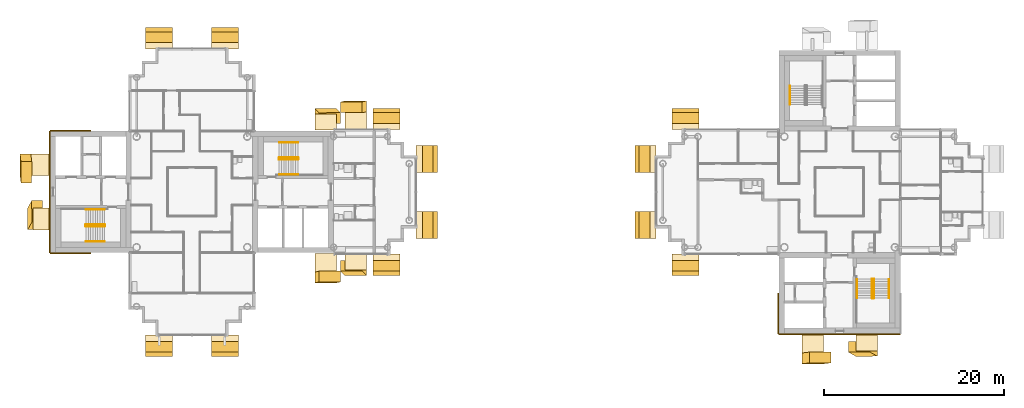
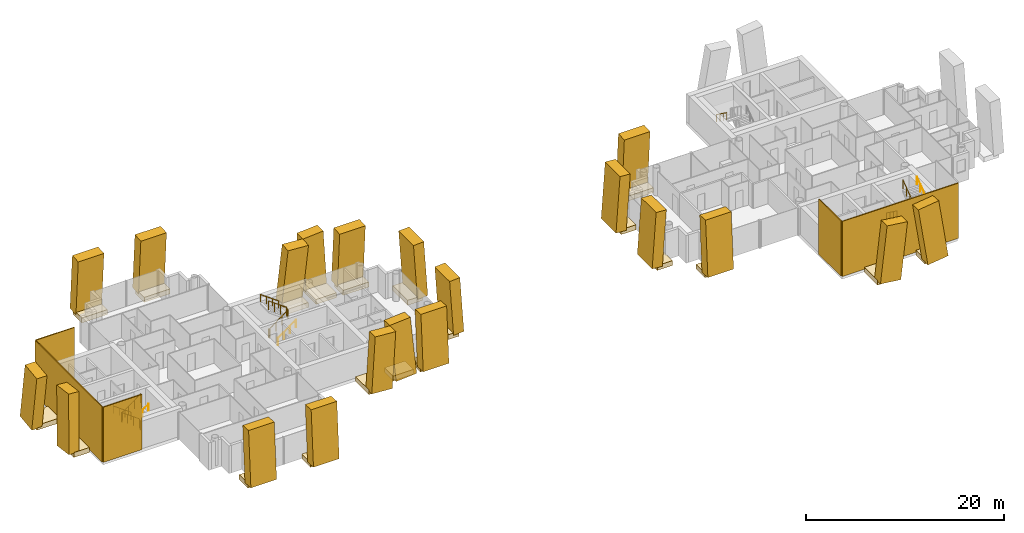
# One storey, part 17 of 19: 45 coverings, 10 railings.
"""IFC4 building model written with IfcOpenShell, lengths in metres."""

from ifc_helpers import new_model, si_unit, direction, frame, origin, origin_2d, place, context, subcontext, project, spatial, rectangle, circle, extrude, material, layer, layer_set, material_profile, profile_set, type_object, element, save


model = new_model("IFC4")

# Units and contexts
model_context = context("Model", 3, precision=1e-05, world=origin(), true_north=direction((0.0, 1.0)))
body_context = subcontext(model_context, "Body", "Model", "MODEL_VIEW")
ifc_project = project(units=[si_unit("LENGTHUNIT", "METRE"), si_unit("AREAUNIT", "SQUARE_METRE"), si_unit("VOLUMEUNIT", "CUBIC_METRE"), si_unit("PLANEANGLEUNIT", "RADIAN"), si_unit("MASSUNIT", "GRAM", prefix="KILO")], contexts=[model_context])

# Site, building, storey
site_placement = place(None, origin())
site = spatial("IfcSite", under=ifc_project, at=site_placement, CompositionType="ELEMENT")
building_placement = place(site_placement, origin())
building = spatial("IfcBuilding", under=site, at=building_placement, Name="Ipe Terrace Towers", CompositionType="ELEMENT")
storey_placement = place(building_placement, frame((0.0, 0.0, 189.199951171875)))
storey = spatial("IfcBuildingStorey", under=building, at=storey_placement, Name="L52", CompositionType="ELEMENT", Elevation=189.199951171875)

# Coverings
ifc_material_1 = material(Name="Concrete C50/60 precast, buff finish", Category="concrete")
ifc_layer = layer(ifc_material_1, 0.1201171875)
ifc_layer_set = layer_set([ifc_layer], Name="STONE CORE CLADDING 120")
covering_type_1 = type_object("IfcCoveringType", Name="STONE CORE CLADDING 120", PredefinedType="CLADDING", material=ifc_layer_set)
covering_1_placement = place(storey_placement, frame((-49.5, -6.81005859375, 0.0), z_axis=(0.0, 0.0, 1.0), x_axis=(1.0, 0.0, 0.0)))
element("IfcCovering", 1, at=covering_1_placement, inside=storey, type_object=covering_type_1, Name="stone core cladding", PredefinedType="CLADDING", context=body_context, shape_type="SweptSolid", body=[
    extrude(rectangle(XDim=4.5, YDim=0.1201171875, at=origin_2d()), origin(), (0.0, 0.0, 1.0), 6.800048828125),
])
covering_2_placement = place(storey_placement, frame((-51.81005859375, 0.0, 0.0), z_axis=(0.0, 0.0, 1.0), x_axis=(0.0, -1.0, 0.0)))
element("IfcCovering", 2, at=covering_2_placement, inside=storey, type_object=covering_type_1, Name="stone core cladding", PredefinedType="CLADDING", context=body_context, shape_type="SweptSolid", body=[
    extrude(rectangle(XDim=13.5, YDim=0.1201171875, at=origin_2d()), origin(), (0.0, 0.0, 1.0), 6.800048828125),
])
covering_3_placement = place(storey_placement, frame((-49.5, 6.81005859375, 0.0), z_axis=(0.0, 0.0, 1.0), x_axis=(-1.0, 0.0, 0.0)))
element("IfcCovering", 3, at=covering_3_placement, inside=storey, type_object=covering_type_1, Name="stone core cladding", PredefinedType="CLADDING", context=body_context, shape_type="SweptSolid", body=[
    extrude(rectangle(XDim=4.5, YDim=0.1201171875, at=origin_2d()), origin(), (0.0, 0.0, 1.0), 6.800048828125),
])
covering_4_placement = place(storey_placement, frame((36.0, -15.81005859375, 0.0), z_axis=(0.0, 0.0, 1.0), x_axis=(1.0, 0.0, 0.0)))
element("IfcCovering", 4, at=covering_4_placement, inside=storey, type_object=covering_type_1, Name="stone core cladding", PredefinedType="CLADDING", context=body_context, shape_type="SweptSolid", body=[
    extrude(rectangle(XDim=13.5, YDim=0.1201171875, at=origin_2d()), origin(), (0.0, 0.0, 1.0), 6.800048828125),
])
covering_5_placement = place(storey_placement, frame((29.18994140625, -13.5, 0.0), z_axis=(0.0, 0.0, 1.0), x_axis=(0.0, -1.0, 0.0)))
element("IfcCovering", 5, at=covering_5_placement, inside=storey, type_object=covering_type_1, Name="stone core cladding", PredefinedType="CLADDING", context=body_context, shape_type="SweptSolid", body=[
    extrude(rectangle(XDim=4.5, YDim=0.1201171875, at=origin_2d()), origin(), (0.0, 0.0, 1.0), 6.800048828125),
])
ifc_material_2 = material(Name="Concrete C50/60 precast, buff finish", Category="concrete")
ifc_material_profile_1 = material_profile(ifc_material_2, rectangle(XDim=2.39990234375, YDim=1.199951171875, at=origin_2d()), Name="STONE FIN 2400 x 1200")
ifc_profile_set_1 = profile_set([ifc_material_profile_1], Name="Concrete C50/60 precast, buff finish")
covering_type_2 = type_object("IfcCoveringType", Name="STONE FIN 2400 x 1200", PredefinedType="USERDEFINED", material=ifc_profile_set_1)
covering_6_placement = place(storey_placement, frame((-21.138916015625, -9.510986328125, 0.0), z_axis=(0.068049039655, 0.015400572133, 0.997563106064), x_axis=(0.997681977487, -0.001050429053, -0.068040931775)))
element("IfcCovering", 6, at=covering_6_placement, inside=storey, type_object=covering_type_2, Name="stone fin", ObjectType="FIN", PredefinedType="USERDEFINED", context=body_context, shape_type="SweptSolid", body=[
    extrude(rectangle(XDim=2.39990234375, YDim=1.199951171875, at=origin_2d()), origin(), (0.0, 0.0, 1.0), 6.816650390625),
])
for number, where, z_axis, x_axis, name in (
    (7, (-21.138916015625, 8.672119140625, 0.0), (0.067898557586, -0.068220182332, 0.995357118124), (-0.997692230038, -0.004642766409, 0.06773964011), "stone fin"),
    (8, (-17.81103515625, -8.672119140625, 0.0), (-0.067898557586, 0.068220182332, 0.995357118124), (0.997692230038, 0.004642766409, 0.06773964011), "stone fin"),
):
    element("IfcCovering", number, at=place(storey_placement, frame(where, z_axis=z_axis, x_axis=x_axis)), inside=storey, type_object=covering_type_2, Name=name, ObjectType="FIN", PredefinedType="USERDEFINED", context=body_context, shape_type="SweptSolid", body=[
        extrude(rectangle(XDim=2.39990234375, YDim=1.199951171875, at=origin_2d()), origin(), (0.0, 0.0, 1.0), 6.831787109375),
    ])
covering_7_placement = place(storey_placement, frame((-17.81103515625, 9.510986328125, 0.0), z_axis=(-0.068049039655, -0.015400572133, 0.997563106064), x_axis=(-0.997681977487, 0.001050429053, -0.068040931775)))
element("IfcCovering", 9, at=covering_7_placement, inside=storey, type_object=covering_type_2, Name="stone fin", ObjectType="FIN", PredefinedType="USERDEFINED", context=body_context, shape_type="SweptSolid", body=[
    extrude(rectangle(XDim=2.39990234375, YDim=1.199951171875, at=origin_2d()), origin(), (0.0, 0.0, 1.0), 6.816650390625),
])
covering_8_placement = place(storey_placement, frame((-54.510986328125, 3.008056640625, 0.0), z_axis=(0.015320449008, -0.122314189404, 0.992373177244), x_axis=(-0.001888085119, -0.992491430225, -0.122299615961)))
element("IfcCovering", 10, at=covering_8_placement, inside=storey, type_object=covering_type_2, Name="stone fin", ObjectType="FIN", PredefinedType="USERDEFINED", context=body_context, shape_type="SweptSolid", body=[
    extrude(rectangle(XDim=2.39990234375, YDim=1.199951171875, at=origin_2d()), origin(), (0.0, 0.0, 1.0), 6.852294921875),
])
for number, where, z_axis, x_axis, name in (
    (11, (-53.672119140625, -3.008056640625, 0.0), (0.067866815371, 0.122046504541, 0.99020136644), (0.008345293818, -0.992524382939, 0.121760853076), "stone fin"),
    (12, (39.008056640625, -17.672119140625, 0.0), (-0.122046504541, 0.067866815371, 0.99020136644), (0.992524382939, 0.008345293818, 0.121760853076), "stone fin"),
):
    element("IfcCovering", number, at=place(storey_placement, frame(where, z_axis=z_axis, x_axis=x_axis)), inside=storey, type_object=covering_type_2, Name=name, ObjectType="FIN", PredefinedType="USERDEFINED", context=body_context, shape_type="SweptSolid", body=[
        extrude(rectangle(XDim=2.39990234375, YDim=1.199951171875, at=origin_2d()), origin(), (0.0, 0.0, 1.0), 6.867431640625),
    ])
covering_9_placement = place(storey_placement, frame((32.991943359375, -18.510986328125, 0.0), z_axis=(0.122314189404, 0.015320449008, 0.992373177244), x_axis=(0.992491430225, -0.001888085119, -0.122299615961)))
element("IfcCovering", 13, at=covering_9_placement, inside=storey, type_object=covering_type_2, Name="stone fin", ObjectType="FIN", PredefinedType="USERDEFINED", context=body_context, shape_type="SweptSolid", body=[
    extrude(rectangle(XDim=2.39990234375, YDim=1.199951171875, at=origin_2d()), origin(), (0.0, 0.0, 1.0), 6.852294921875),
])
ifc_material_3 = material(Name="Concrete C50/60 precast, buff finish", Category="concrete")
ifc_material_profile_2 = material_profile(ifc_material_3, rectangle(XDim=3.0, YDim=1.199951171875, at=origin_2d()), Name="STONE FIN CORNER 3000 x 1200")
ifc_profile_set_2 = profile_set([ifc_material_profile_2], Name="Concrete C50/60 precast, buff finish")
covering_type_3 = type_object("IfcCoveringType", Name="STONE FIN CORNER 3000 x 1200", PredefinedType="USERDEFINED", material=ifc_profile_set_2)
for number, where, z_axis, x_axis, name in (
    (14, (-9.327880859375, -3.64990234375, 0.0), (-0.068377982987, 0.0, 0.99765948672), (0.0, 1.0, 0.0), "stone fin"),
    (15, (-9.327880859375, 3.64990234375, 0.0), (-0.068377982987, 0.0, 0.99765948672), (0.0, 1.0, 0.0), "stone fin"),
    (16, (-14.35009765625, -8.672119140625, 0.0), (0.0, 0.068377982987, 0.99765948672), (1.0, 0.0, 0.0), "stone fin"),
    (17, (-14.35009765625, 8.672119140625, 0.0), (0.0, -0.068377982987, 0.99765948672), (-1.0, 0.0, 0.0), "stone fin"),
    (18, (-32.35009765625, -17.672119140625, 0.0), (0.0, 0.068377982987, 0.99765948672), (1.0, 0.0, 0.0), "stone fin"),
    (19, (-32.35009765625, 17.672119140625, 0.0), (0.0, -0.068377982987, 0.99765948672), (-1.0, 0.0, 0.0), "stone fin"),
    (20, (-39.64990234375, -17.672119140625, 0.0), (0.0, 0.068377982987, 0.99765948672), (1.0, 0.0, 0.0), "stone fin"),
    (21, (-39.64990234375, 17.672119140625, 0.0), (0.0, -0.068377982987, 0.99765948672), (-1.0, 0.0, 0.0), "stone fin"),
    (22, (13.827880859375, -3.64990234375, 0.0), (0.068377982987, 0.0, 0.99765948672), (0.0, -1.0, 0.0), "stone fin"),
    (23, (13.827880859375, 3.64990234375, 0.0), (0.068377982987, 0.0, 0.99765948672), (0.0, -1.0, 0.0), "stone fin"),
    (24, (18.85009765625, -8.672119140625, 0.0), (0.0, 0.068377982987, 0.99765948672), (1.0, 0.0, 0.0), "stone fin"),
    (25, (18.85009765625, 8.672119140625, 0.0), (0.0, -0.068377982987, 0.99765948672), (-1.0, 0.0, 0.0), "stone fin"),
):
    element("IfcCovering", number, at=place(storey_placement, frame(where, z_axis=z_axis, x_axis=x_axis)), inside=storey, type_object=covering_type_3, Name=name, ObjectType="FIN", PredefinedType="USERDEFINED", context=body_context, shape_type="SweptSolid", body=[
        extrude(rectangle(XDim=3.0, YDim=1.199951171875, at=origin_2d()), origin(), (0.0, 0.0, 1.0), 6.81591796875),
    ])
ifc_material_4 = material(Name="Concrete C50/60 precast, buff finish", Category="concrete")
covering_type_4 = type_object("IfcCoveringType", Name="STONE FIN SHELF 2400 x 600", PredefinedType="CLADDING", material=ifc_material_4)
covering_10_placement = place(storey_placement, frame((-21.138916015625, -8.18505859375, -0.35009765625), z_axis=(0.0, 0.0, 1.0), x_axis=(1.0, 0.0, 0.0)))
element("IfcCovering", 26, at=covering_10_placement, inside=storey, type_object=covering_type_4, Name="stone fin shelf", PredefinedType="CLADDING", context=body_context, shape_type="SweptSolid", body=[
    extrude(rectangle(XDim=2.39990234375, YDim=2.65087890625, at=origin_2d()), origin(), (0.0, 0.0, 1.0), 0.60009765625),
])
covering_11_placement = place(storey_placement, frame((-21.138916015625, 7.76611328125, -0.35009765625), z_axis=(0.0, 0.0, 1.0), x_axis=(-1.0, 0.0, 0.0)))
element("IfcCovering", 27, at=covering_11_placement, inside=storey, type_object=covering_type_4, Name="stone fin shelf", PredefinedType="CLADDING", context=body_context, shape_type="SweptSolid", body=[
    extrude(rectangle(XDim=2.39990234375, YDim=1.81201171875, at=origin_2d()), origin(), (0.0, 0.0, 1.0), 0.60009765625),
])
covering_12_placement = place(storey_placement, frame((-17.81103515625, -7.7939453125, -0.35009765625), z_axis=(0.0, 0.0, 1.0), x_axis=(1.0, 0.0, 0.0)))
element("IfcCovering", 28, at=covering_12_placement, inside=storey, type_object=covering_type_4, Name="stone fin shelf", PredefinedType="CLADDING", context=body_context, shape_type="SweptSolid", body=[
    extrude(rectangle(XDim=2.39990234375, YDim=1.756103515625, at=origin_2d()), origin(), (0.0, 0.0, 1.0), 0.60009765625),
])
covering_13_placement = place(storey_placement, frame((-17.81103515625, 8.212890625, -0.35009765625), z_axis=(0.0, 0.0, 1.0), x_axis=(-1.0, 0.0, 0.0)))
element("IfcCovering", 29, at=covering_13_placement, inside=storey, type_object=covering_type_4, Name="stone fin shelf", PredefinedType="CLADDING", context=body_context, shape_type="SweptSolid", body=[
    extrude(rectangle(XDim=2.39990234375, YDim=2.594970703125, at=origin_2d()), origin(), (0.0, 0.0, 1.0), 0.60009765625),
])
covering_14_placement = place(storey_placement, frame((-53.18603515625, 3.008056640625, -0.35009765625), z_axis=(0.0, 0.0, 1.0), x_axis=(0.0, -1.0, 0.0)))
element("IfcCovering", 30, at=covering_14_placement, inside=storey, type_object=covering_type_4, Name="stone fin shelf", PredefinedType="CLADDING", context=body_context, shape_type="SweptSolid", body=[
    extrude(rectangle(XDim=2.39990234375, YDim=2.65087890625, at=origin_2d()), origin(), (0.0, 0.0, 1.0), 0.60009765625),
])
for number, where, z_axis, x_axis, name in (
    (31, (-52.76611328125, -3.008056640625, -0.35009765625), (0.0, 0.0, 1.0), (0.0, -1.0, 0.0), "stone fin shelf"),
    (32, (39.008056640625, -16.76611328125, -0.35009765625), (0.0, 0.0, 1.0), (1.0, 0.0, 0.0), "stone fin shelf"),
):
    element("IfcCovering", number, at=place(storey_placement, frame(where, z_axis=z_axis, x_axis=x_axis)), inside=storey, type_object=covering_type_4, Name=name, PredefinedType="CLADDING", context=body_context, shape_type="SweptSolid", body=[
        extrude(rectangle(XDim=2.39990234375, YDim=1.81201171875, at=origin_2d()), origin(), (0.0, 0.0, 1.0), 0.60009765625),
    ])
covering_15_placement = place(storey_placement, frame((32.991943359375, -17.18603515625, -0.35009765625), z_axis=(0.0, 0.0, 1.0), x_axis=(1.0, 0.0, 0.0)))
element("IfcCovering", 33, at=covering_15_placement, inside=storey, type_object=covering_type_4, Name="stone fin shelf", PredefinedType="CLADDING", context=body_context, shape_type="SweptSolid", body=[
    extrude(rectangle(XDim=2.39990234375, YDim=2.65087890625, at=origin_2d()), origin(), (0.0, 0.0, 1.0), 0.60009765625),
])
ifc_material_5 = material(Name="Concrete C50/60 precast, buff finish", Category="concrete")
covering_type_5 = type_object("IfcCoveringType", Name="STONE FIN SHELF 3000 x 600", PredefinedType="CLADDING", material=ifc_material_5)
for number, where, z_axis, x_axis, name in (
    (34, (-10.2060546875, -3.64990234375, -0.35009765625), (0.0, 0.0, 1.0), (0.0, 1.0, 0.0), "stone fin shelf"),
    (35, (-10.2060546875, 3.64990234375, -0.35009765625), (0.0, 0.0, 1.0), (0.0, 1.0, 0.0), "stone fin shelf"),
    (36, (-14.35009765625, -7.7939453125, -0.35009765625), (0.0, 0.0, 1.0), (1.0, 0.0, 0.0), "stone fin shelf"),
    (37, (-14.35009765625, 7.7939453125, -0.35009765625), (0.0, 0.0, 1.0), (-1.0, 0.0, 0.0), "stone fin shelf"),
    (38, (-32.35009765625, -16.7939453125, -0.35009765625), (0.0, 0.0, 1.0), (1.0, 0.0, 0.0), "stone fin shelf"),
    (39, (-32.35009765625, 16.7939453125, -0.35009765625), (0.0, 0.0, 1.0), (-1.0, 0.0, 0.0), "stone fin shelf"),
    (40, (-39.64990234375, -16.7939453125, -0.35009765625), (0.0, 0.0, 1.0), (1.0, 0.0, 0.0), "stone fin shelf"),
    (41, (-39.64990234375, 16.7939453125, -0.35009765625), (0.0, 0.0, 1.0), (-1.0, 0.0, 0.0), "stone fin shelf"),
    (42, (14.7060546875, -3.64990234375, -0.35009765625), (0.0, 0.0, 1.0), (0.0, -1.0, 0.0), "stone fin shelf"),
    (43, (14.7060546875, 3.64990234375, -0.35009765625), (0.0, 0.0, 1.0), (0.0, -1.0, 0.0), "stone fin shelf"),
    (44, (18.85009765625, -7.7939453125, -0.35009765625), (0.0, 0.0, 1.0), (1.0, 0.0, 0.0), "stone fin shelf"),
    (45, (18.85009765625, 7.7939453125, -0.35009765625), (0.0, 0.0, 1.0), (-1.0, 0.0, 0.0), "stone fin shelf"),
):
    element("IfcCovering", number, at=place(storey_placement, frame(where, z_axis=z_axis, x_axis=x_axis)), inside=storey, type_object=covering_type_5, Name=name, PredefinedType="CLADDING", context=body_context, shape_type="SweptSolid", body=[
        extrude(rectangle(XDim=3.0, YDim=1.756103515625, at=origin_2d()), origin(), (0.0, 0.0, 1.0), 0.60009765625),
    ])

# Railings
ifc_material_6 = material(Name="Steel S355", Category="steel")
railing_type_1 = type_object("IfcRailingType", Name="Stair guard 1100", PredefinedType="GUARDRAIL", material=ifc_material_6)
railing_1_placement = place(storey_placement, frame((-26.35009765625, 3.800048828125, 0.0)))
element("IfcRailing", 46, at=railing_1_placement, inside=storey, type_object=railing_type_1, Name="L52 T1-ST1 stair guard 1", PredefinedType="GUARDRAIL", context=body_context, shape_type="SweptSolid", body=[
    extrude(circle(Radius=0.02392578125, at=origin_2d()), frame((0.0, 0.0, 1.076171875), z_axis=(0.0, -1.0, 0.0), x_axis=(1.0, 0.0, 0.0)), (0.0, 0.0, 1.0), 0.150146484375),
    extrude(circle(Radius=0.02392578125, at=origin_2d()), frame((0.0, -0.150146484375, 1.076171875), z_axis=(0.248103849378, -0.246893586699, 0.936743314239), x_axis=(0.705375805398, 0.708833529934, 0.0)), (0.0, 0.0, 1.0), 0.20166015625),
    extrude(circle(Radius=0.02392578125, at=origin_2d()), frame((0.050048828125, -0.199951171875, 1.26513671875), z_axis=(0.809068575486, 0.0, 0.587714250432), x_axis=(0.0, 1.0, 0.0)), (0.0, 0.0, 1.0), 2.571044921875),
    extrude(circle(Radius=0.02392578125, at=origin_2d()), frame((2.130126953125, -0.199951171875, 2.77587890625), z_axis=(0.708833529934, 0.705375805398, 0.0), x_axis=(-0.705375805398, 0.708833529934, 0.0)), (0.0, 0.0, 1.0), 0.070556640625),
    extrude(circle(Radius=0.02392578125, at=origin_2d()), frame((2.18017578125, -0.150146484375, 2.77587890625), z_axis=(0.0, 1.0, 0.0), x_axis=(-1.0, 0.0, 0.0)), (0.0, 0.0, 1.0), 0.150146484375),
    extrude(circle(Radius=0.02392578125, at=origin_2d()), frame((2.18017578125, 0.0, 2.77587890625), z_axis=(-0.248029566107, 0.248029566107, 0.936462849596), x_axis=(-0.707106781187, -0.707106781187, 0.0)), (0.0, 0.0, 1.0), 0.201904296875),
    extrude(circle(Radius=0.02392578125, at=origin_2d()), frame((2.130126953125, 0.050048828125, 2.96484375), z_axis=(-0.809023421508, 0.0, 0.587776406001), x_axis=(0.0, -1.0, 0.0)), (0.0, 0.0, 1.0), 2.571044921875),
    extrude(circle(Radius=0.02099609375, at=origin_2d()), origin(), (0.0, 0.0, 1.0), 1.052001953125),
    extrude(circle(Radius=0.02099609375, at=origin_2d()), frame((0.0, -0.150146484375, 0.0)), (0.0, 0.0, 1.0), 1.052001953125),
    extrude(circle(Radius=0.02099609375, at=origin_2d()), frame((0.050048828125, -0.199951171875, 0.18896484375)), (0.0, 0.0, 1.0), 1.052001953125),
    extrude(circle(Radius=0.02099609375, at=origin_2d()), frame((0.743408203125, -0.199951171875, 0.692626953125)), (0.0, 0.0, 1.0), 1.052001953125),
    extrude(circle(Radius=0.02099609375, at=origin_2d()), frame((1.436767578125, -0.199951171875, 1.1962890625)), (0.0, 0.0, 1.0), 1.052001953125),
    extrude(circle(Radius=0.02099609375, at=origin_2d()), frame((2.130126953125, -0.199951171875, 1.699951171875)), (0.0, 0.0, 1.0), 1.052001953125),
    extrude(circle(Radius=0.02099609375, at=origin_2d()), frame((2.18017578125, -0.150146484375, 1.699951171875)), (0.0, 0.0, 1.0), 1.052001953125),
    extrude(circle(Radius=0.02099609375, at=origin_2d()), frame((2.18017578125, 0.0, 1.699951171875)), (0.0, 0.0, 1.0), 1.052001953125),
    extrude(circle(Radius=0.02099609375, at=origin_2d()), frame((2.130126953125, 0.050048828125, 1.888916015625)), (0.0, 0.0, 1.0), 1.052001953125),
    extrude(circle(Radius=0.02099609375, at=origin_2d()), frame((1.436767578125, 0.050048828125, 2.392578125)), (0.0, 0.0, 1.0), 1.052001953125),
    extrude(circle(Radius=0.02099609375, at=origin_2d()), frame((0.743408203125, 0.050048828125, 2.896484375)), (0.0, 0.0, 1.0), 1.052001953125),
    extrude(circle(Radius=0.02099609375, at=origin_2d()), frame((0.050048828125, 0.050048828125, 3.400146484375)), (0.0, 0.0, 1.0), 1.052001953125),
])
railing_2_placement = place(storey_placement, frame((-45.64990234375, -3.800048828125, 0.0)))
element("IfcRailing", 47, at=railing_2_placement, inside=storey, type_object=railing_type_1, Name="L52 T1-ST2 stair guard 1", PredefinedType="GUARDRAIL", context=body_context, shape_type="SweptSolid", body=[
    extrude(circle(Radius=0.02392578125, at=origin_2d()), frame((0.0, 0.0, 1.076171875), z_axis=(0.0, 1.0, 0.0), x_axis=(-1.0, 0.0, 0.0)), (0.0, 0.0, 1.0), 0.150146484375),
    extrude(circle(Radius=0.02392578125, at=origin_2d()), frame((0.0, 0.150146484375, 1.076171875), z_axis=(-0.248103849378, 0.246893586699, 0.936743314239), x_axis=(-0.705375805398, -0.708833529934, 0.0)), (0.0, 0.0, 1.0), 0.20166015625),
    extrude(circle(Radius=0.02392578125, at=origin_2d()), frame((-0.050048828125, 0.199951171875, 1.26513671875), z_axis=(-0.809068575486, 0.0, 0.587714250432), x_axis=(0.0, -1.0, 0.0)), (0.0, 0.0, 1.0), 2.571044921875),
    extrude(circle(Radius=0.02392578125, at=origin_2d()), frame((-2.130126953125, 0.199951171875, 2.77587890625), z_axis=(-0.708833529934, -0.705375805398, 0.0), x_axis=(0.705375805398, -0.708833529934, 0.0)), (0.0, 0.0, 1.0), 0.070556640625),
    extrude(circle(Radius=0.02392578125, at=origin_2d()), frame((-2.18017578125, 0.150146484375, 2.77587890625), z_axis=(0.0, -1.0, 0.0), x_axis=(1.0, 0.0, 0.0)), (0.0, 0.0, 1.0), 0.150146484375),
    extrude(circle(Radius=0.02392578125, at=origin_2d()), frame((-2.18017578125, 0.0, 2.77587890625), z_axis=(0.248029566107, -0.248029566107, 0.936462849596), x_axis=(0.707106781187, 0.707106781187, 0.0)), (0.0, 0.0, 1.0), 0.201904296875),
    extrude(circle(Radius=0.02392578125, at=origin_2d()), frame((-2.130126953125, -0.050048828125, 2.96484375), z_axis=(0.809023421508, 0.0, 0.587776406001), x_axis=(0.0, 1.0, 0.0)), (0.0, 0.0, 1.0), 2.571044921875),
    extrude(circle(Radius=0.02099609375, at=origin_2d()), origin(), (0.0, 0.0, 1.0), 1.052001953125),
    extrude(circle(Radius=0.02099609375, at=origin_2d()), frame((0.0, 0.150146484375, 0.0)), (0.0, 0.0, 1.0), 1.052001953125),
    extrude(circle(Radius=0.02099609375, at=origin_2d()), frame((-0.050048828125, 0.199951171875, 0.18896484375)), (0.0, 0.0, 1.0), 1.052001953125),
    extrude(circle(Radius=0.02099609375, at=origin_2d()), frame((-0.743408203125, 0.199951171875, 0.692626953125)), (0.0, 0.0, 1.0), 1.052001953125),
    extrude(circle(Radius=0.02099609375, at=origin_2d()), frame((-1.436767578125, 0.199951171875, 1.1962890625)), (0.0, 0.0, 1.0), 1.052001953125),
    extrude(circle(Radius=0.02099609375, at=origin_2d()), frame((-2.130126953125, 0.199951171875, 1.699951171875)), (0.0, 0.0, 1.0), 1.052001953125),
    extrude(circle(Radius=0.02099609375, at=origin_2d()), frame((-2.18017578125, 0.150146484375, 1.699951171875)), (0.0, 0.0, 1.0), 1.052001953125),
    extrude(circle(Radius=0.02099609375, at=origin_2d()), frame((-2.18017578125, 0.0, 1.699951171875)), (0.0, 0.0, 1.0), 1.052001953125),
    extrude(circle(Radius=0.02099609375, at=origin_2d()), frame((-2.130126953125, -0.050048828125, 1.888916015625)), (0.0, 0.0, 1.0), 1.052001953125),
    extrude(circle(Radius=0.02099609375, at=origin_2d()), frame((-1.436767578125, -0.050048828125, 2.392578125)), (0.0, 0.0, 1.0), 1.052001953125),
    extrude(circle(Radius=0.02099609375, at=origin_2d()), frame((-0.743408203125, -0.050048828125, 2.896484375)), (0.0, 0.0, 1.0), 1.052001953125),
    extrude(circle(Radius=0.02099609375, at=origin_2d()), frame((-0.050048828125, -0.050048828125, 3.400146484375)), (0.0, 0.0, 1.0), 1.052001953125),
])
railing_3_placement = place(storey_placement, frame((39.800048828125, -9.64990234375, 0.0)))
element("IfcRailing", 48, at=railing_3_placement, inside=storey, type_object=railing_type_1, Name="L52 T2-ST2 stair guard 1", PredefinedType="GUARDRAIL", context=body_context, shape_type="SweptSolid", body=[
    extrude(circle(Radius=0.02392578125, at=origin_2d()), frame((0.0, 0.0, 1.076171875), z_axis=(-1.0, 0.0, 0.0), x_axis=(0.0, -1.0, 0.0)), (0.0, 0.0, 1.0), 0.150146484375),
    extrude(circle(Radius=0.02392578125, at=origin_2d()), frame((-0.150146484375, 0.0, 1.076171875), z_axis=(-0.246893586699, -0.248103849378, 0.936743314239), x_axis=(0.708833529934, -0.705375805398, 0.0)), (0.0, 0.0, 1.0), 0.20166015625),
    extrude(circle(Radius=0.02392578125, at=origin_2d()), frame((-0.199951171875, -0.050048828125, 1.26513671875), z_axis=(0.0, -0.809068575486, 0.587714250432), x_axis=(1.0, 0.0, 0.0)), (0.0, 0.0, 1.0), 2.571044921875),
    extrude(circle(Radius=0.02392578125, at=origin_2d()), frame((-0.199951171875, -2.130126953125, 2.77587890625), z_axis=(0.705375805398, -0.708833529934, 0.0), x_axis=(0.708833529934, 0.705375805398, 0.0)), (0.0, 0.0, 1.0), 0.070556640625),
    extrude(circle(Radius=0.02392578125, at=origin_2d()), frame((-0.150146484375, -2.18017578125, 2.77587890625), z_axis=(1.0, 0.0, 0.0), x_axis=(0.0, 1.0, 0.0)), (0.0, 0.0, 1.0), 0.150146484375),
    extrude(circle(Radius=0.02392578125, at=origin_2d()), frame((0.0, -2.18017578125, 2.77587890625), z_axis=(0.248029566107, 0.248029566107, 0.936462849596), x_axis=(-0.707106781187, 0.707106781187, 0.0)), (0.0, 0.0, 1.0), 0.201904296875),
    extrude(circle(Radius=0.02392578125, at=origin_2d()), frame((0.050048828125, -2.130126953125, 2.96484375), z_axis=(0.0, 0.809023421508, 0.587776406001), x_axis=(-1.0, 0.0, 0.0)), (0.0, 0.0, 1.0), 2.571044921875),
    extrude(circle(Radius=0.02099609375, at=origin_2d()), origin(), (0.0, 0.0, 1.0), 1.052001953125),
    extrude(circle(Radius=0.02099609375, at=origin_2d()), frame((-0.150146484375, 0.0, 0.0)), (0.0, 0.0, 1.0), 1.052001953125),
    extrude(circle(Radius=0.02099609375, at=origin_2d()), frame((-0.199951171875, -0.050048828125, 0.18896484375)), (0.0, 0.0, 1.0), 1.052001953125),
    extrude(circle(Radius=0.02099609375, at=origin_2d()), frame((-0.199951171875, -0.743408203125, 0.692626953125)), (0.0, 0.0, 1.0), 1.052001953125),
    extrude(circle(Radius=0.02099609375, at=origin_2d()), frame((-0.199951171875, -1.436767578125, 1.1962890625)), (0.0, 0.0, 1.0), 1.052001953125),
    extrude(circle(Radius=0.02099609375, at=origin_2d()), frame((-0.199951171875, -2.130126953125, 1.699951171875)), (0.0, 0.0, 1.0), 1.052001953125),
    extrude(circle(Radius=0.02099609375, at=origin_2d()), frame((-0.150146484375, -2.18017578125, 1.699951171875)), (0.0, 0.0, 1.0), 1.052001953125),
    extrude(circle(Radius=0.02099609375, at=origin_2d()), frame((0.0, -2.18017578125, 1.699951171875)), (0.0, 0.0, 1.0), 1.052001953125),
    extrude(circle(Radius=0.02099609375, at=origin_2d()), frame((0.050048828125, -2.130126953125, 1.888916015625)), (0.0, 0.0, 1.0), 1.052001953125),
    extrude(circle(Radius=0.02099609375, at=origin_2d()), frame((0.050048828125, -1.436767578125, 2.392578125)), (0.0, 0.0, 1.0), 1.052001953125),
    extrude(circle(Radius=0.02099609375, at=origin_2d()), frame((0.050048828125, -0.743408203125, 2.896484375)), (0.0, 0.0, 1.0), 1.052001953125),
    extrude(circle(Radius=0.02099609375, at=origin_2d()), frame((0.050048828125, -0.050048828125, 3.400146484375)), (0.0, 0.0, 1.0), 1.052001953125),
])
ifc_material_7 = material(Name="Stainless steel grade 304", Category="steel")
railing_type_2 = type_object("IfcRailingType", Name="Stair handrail 900", PredefinedType="HANDRAIL", material=ifc_material_7)
railing_4_placement = place(storey_placement, frame((-26.300048828125, 1.949951171875, 0.18896484375)))
element("IfcRailing", 49, at=railing_4_placement, inside=storey, type_object=railing_type_2, Name="L52 T1-ST1 stair handrail 1", PredefinedType="HANDRAIL", context=body_context, shape_type="SweptSolid", body=[
    extrude(circle(Radius=0.02392578125, at=origin_2d()), frame((0.0, 0.0, 0.8759765625), z_axis=(0.809068575486, 0.0, 0.587714250432), x_axis=(0.0, 1.0, 0.0)), (0.0, 0.0, 1.0), 2.571044921875),
    extrude(circle(Radius=0.02099609375, at=origin_2d()), origin(), (0.0, 0.0, 1.0), 0.851806640625),
    extrude(circle(Radius=0.02099609375, at=origin_2d()), frame((0.693359375, 0.0, 0.503662109375)), (0.0, 0.0, 1.0), 0.851806640625),
    extrude(circle(Radius=0.02099609375, at=origin_2d()), frame((1.38671875, 0.0, 1.00732421875)), (0.0, 0.0, 1.0), 0.851806640625),
    extrude(circle(Radius=0.02099609375, at=origin_2d()), frame((2.080078125, 0.0, 1.510986328125)), (0.0, 0.0, 1.0), 0.851806640625),
])
railing_5_placement = place(storey_placement, frame((-24.219970703125, 5.5, 1.888916015625)))
element("IfcRailing", 50, at=railing_5_placement, inside=storey, type_object=railing_type_2, Name="L52 T1-ST1 stair handrail 2", PredefinedType="HANDRAIL", context=body_context, shape_type="SweptSolid", body=[
    extrude(circle(Radius=0.02392578125, at=origin_2d()), frame((0.0, 0.0, 0.8759765625), z_axis=(-0.809023421508, 0.0, 0.587776406001), x_axis=(0.0, -1.0, 0.0)), (0.0, 0.0, 1.0), 2.571044921875),
    extrude(circle(Radius=0.02099609375, at=origin_2d()), origin(), (0.0, 0.0, 1.0), 0.851806640625),
    extrude(circle(Radius=0.02099609375, at=origin_2d()), frame((-0.693359375, 0.0, 0.503662109375)), (0.0, 0.0, 1.0), 0.851806640625),
    extrude(circle(Radius=0.02099609375, at=origin_2d()), frame((-1.38671875, 0.0, 1.007568359375)), (0.0, 0.0, 1.0), 0.851806640625),
    extrude(circle(Radius=0.02099609375, at=origin_2d()), frame((-2.080078125, 0.0, 1.51123046875)), (0.0, 0.0, 1.0), 0.851806640625),
])
railing_6_placement = place(storey_placement, frame((-45.699951171875, -1.949951171875, 0.18896484375)))
element("IfcRailing", 51, at=railing_6_placement, inside=storey, type_object=railing_type_2, Name="L52 T1-ST2 stair handrail 1", PredefinedType="HANDRAIL", context=body_context, shape_type="SweptSolid", body=[
    extrude(circle(Radius=0.02392578125, at=origin_2d()), frame((0.0, 0.0, 0.8759765625), z_axis=(-0.809068575486, 0.0, 0.587714250432), x_axis=(0.0, -1.0, 0.0)), (0.0, 0.0, 1.0), 2.571044921875),
    extrude(circle(Radius=0.02099609375, at=origin_2d()), origin(), (0.0, 0.0, 1.0), 0.851806640625),
    extrude(circle(Radius=0.02099609375, at=origin_2d()), frame((-0.693359375, 0.0, 0.503662109375)), (0.0, 0.0, 1.0), 0.851806640625),
    extrude(circle(Radius=0.02099609375, at=origin_2d()), frame((-1.38671875, 0.0, 1.00732421875)), (0.0, 0.0, 1.0), 0.851806640625),
    extrude(circle(Radius=0.02099609375, at=origin_2d()), frame((-2.080078125, 0.0, 1.510986328125)), (0.0, 0.0, 1.0), 0.851806640625),
])
railing_7_placement = place(storey_placement, frame((-47.780029296875, -5.5, 1.888916015625)))
element("IfcRailing", 52, at=railing_7_placement, inside=storey, type_object=railing_type_2, Name="L52 T1-ST2 stair handrail 2", PredefinedType="HANDRAIL", context=body_context, shape_type="SweptSolid", body=[
    extrude(circle(Radius=0.02392578125, at=origin_2d()), frame((0.0, 0.0, 0.8759765625), z_axis=(0.809023421508, 0.0, 0.587776406001), x_axis=(0.0, 1.0, 0.0)), (0.0, 0.0, 1.0), 2.571044921875),
    extrude(circle(Radius=0.02099609375, at=origin_2d()), origin(), (0.0, 0.0, 1.0), 0.851806640625),
    extrude(circle(Radius=0.02099609375, at=origin_2d()), frame((0.693359375, 0.0, 0.503662109375)), (0.0, 0.0, 1.0), 0.851806640625),
    extrude(circle(Radius=0.02099609375, at=origin_2d()), frame((1.38671875, 0.0, 1.007568359375)), (0.0, 0.0, 1.0), 0.851806640625),
    extrude(circle(Radius=0.02099609375, at=origin_2d()), frame((2.080078125, 0.0, 1.51123046875)), (0.0, 0.0, 1.0), 0.851806640625),
])
railing_8_placement = place(storey_placement, frame((30.5, 11.780029296875, 1.888916015625)))
element("IfcRailing", 53, at=railing_8_placement, inside=storey, type_object=railing_type_2, Name="L52 T2-ST1 stair handrail 2", PredefinedType="HANDRAIL", context=body_context, shape_type="SweptSolid", body=[
    extrude(circle(Radius=0.02392578125, at=origin_2d()), frame((0.0, 0.0, 0.8759765625), z_axis=(0.0, -0.809023421508, 0.587776406001), x_axis=(1.0, 0.0, 0.0)), (0.0, 0.0, 1.0), 2.571044921875),
    extrude(circle(Radius=0.02099609375, at=origin_2d()), origin(), (0.0, 0.0, 1.0), 0.851806640625),
    extrude(circle(Radius=0.02099609375, at=origin_2d()), frame((0.0, -0.693359375, 0.503662109375)), (0.0, 0.0, 1.0), 0.851806640625),
    extrude(circle(Radius=0.02099609375, at=origin_2d()), frame((0.0, -1.38671875, 1.007568359375)), (0.0, 0.0, 1.0), 0.851806640625),
    extrude(circle(Radius=0.02099609375, at=origin_2d()), frame((0.0, -2.080078125, 1.51123046875)), (0.0, 0.0, 1.0), 0.851806640625),
])
railing_9_placement = place(storey_placement, frame((37.949951171875, -9.699951171875, 0.18896484375)))
element("IfcRailing", 54, at=railing_9_placement, inside=storey, type_object=railing_type_2, Name="L52 T2-ST2 stair handrail 1", PredefinedType="HANDRAIL", context=body_context, shape_type="SweptSolid", body=[
    extrude(circle(Radius=0.02392578125, at=origin_2d()), frame((0.0, 0.0, 0.8759765625), z_axis=(0.0, -0.809068575486, 0.587714250432), x_axis=(1.0, 0.0, 0.0)), (0.0, 0.0, 1.0), 2.571044921875),
    extrude(circle(Radius=0.02099609375, at=origin_2d()), origin(), (0.0, 0.0, 1.0), 0.851806640625),
    extrude(circle(Radius=0.02099609375, at=origin_2d()), frame((0.0, -0.693359375, 0.503662109375)), (0.0, 0.0, 1.0), 0.851806640625),
    extrude(circle(Radius=0.02099609375, at=origin_2d()), frame((0.0, -1.38671875, 1.00732421875)), (0.0, 0.0, 1.0), 0.851806640625),
    extrude(circle(Radius=0.02099609375, at=origin_2d()), frame((0.0, -2.080078125, 1.510986328125)), (0.0, 0.0, 1.0), 0.851806640625),
])
railing_10_placement = place(storey_placement, frame((41.5, -11.780029296875, 1.888916015625)))
element("IfcRailing", 55, at=railing_10_placement, inside=storey, type_object=railing_type_2, Name="L52 T2-ST2 stair handrail 2", PredefinedType="HANDRAIL", context=body_context, shape_type="SweptSolid", body=[
    extrude(circle(Radius=0.02392578125, at=origin_2d()), frame((0.0, 0.0, 0.8759765625), z_axis=(0.0, 0.809023421508, 0.587776406001), x_axis=(-1.0, 0.0, 0.0)), (0.0, 0.0, 1.0), 2.571044921875),
    extrude(circle(Radius=0.02099609375, at=origin_2d()), origin(), (0.0, 0.0, 1.0), 0.851806640625),
    extrude(circle(Radius=0.02099609375, at=origin_2d()), frame((0.0, 0.693359375, 0.503662109375)), (0.0, 0.0, 1.0), 0.851806640625),
    extrude(circle(Radius=0.02099609375, at=origin_2d()), frame((0.0, 1.38671875, 1.007568359375)), (0.0, 0.0, 1.0), 0.851806640625),
    extrude(circle(Radius=0.02099609375, at=origin_2d()), frame((0.0, 2.080078125, 1.51123046875)), (0.0, 0.0, 1.0), 0.851806640625),
])

save(model, "model.ifc")
